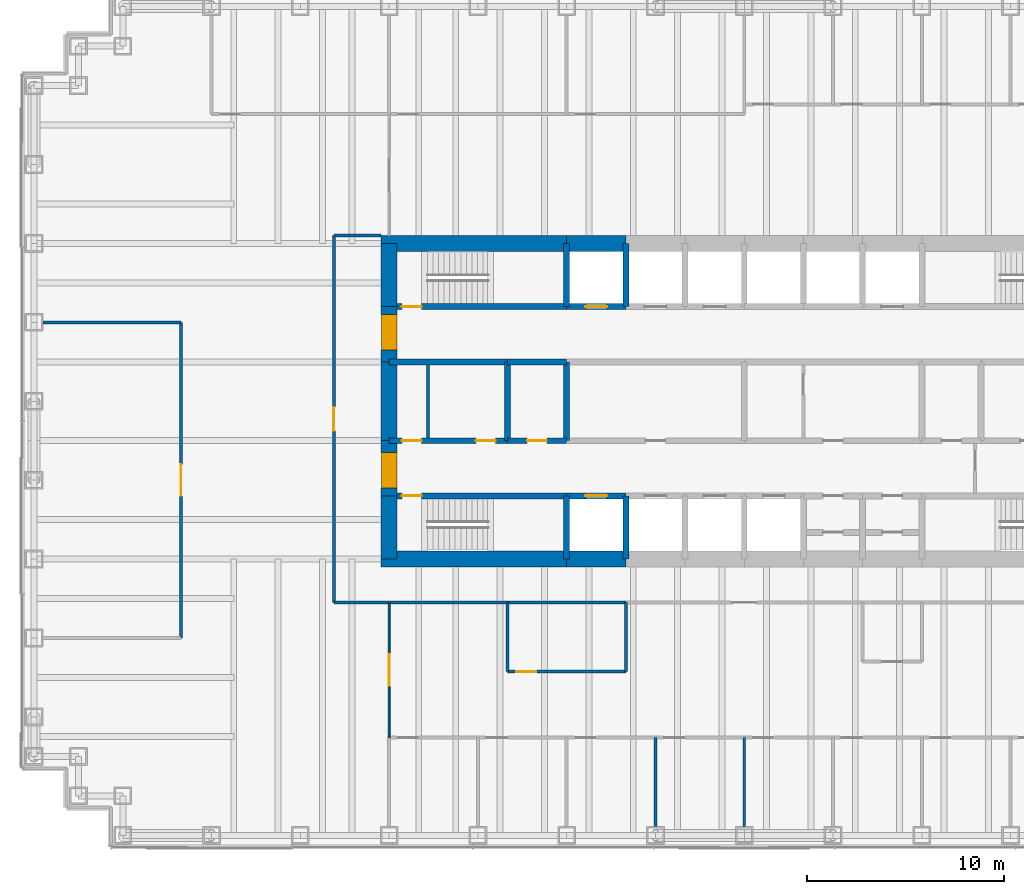
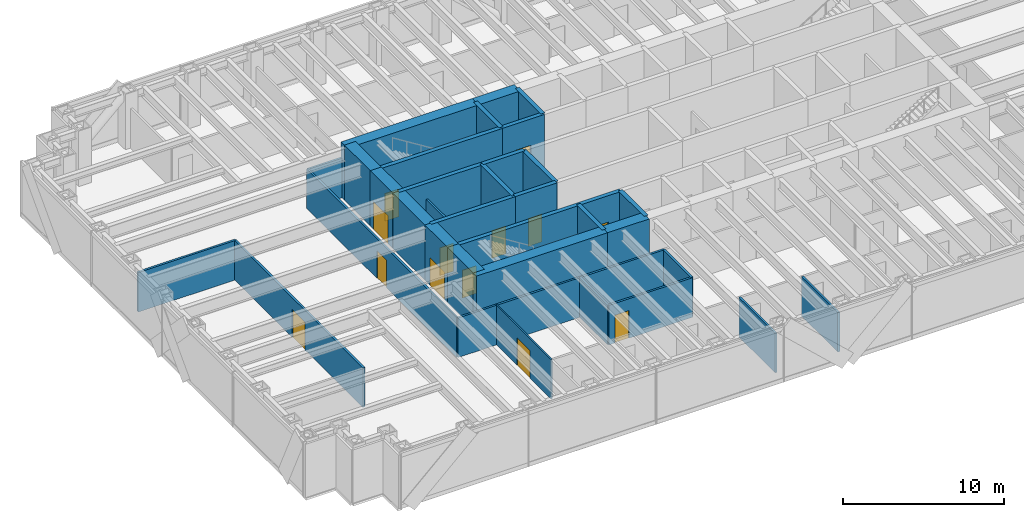
# One storey, part 10 of 15: 36 walls, 13 doors, 13 openings.
"""IFC4 building model written with IfcOpenShell, lengths in metres."""

import ifcopenshell
import ifcopenshell.guid

model = None  # the IFC model being written
_history = None  # IfcOwnerHistory: only IFC2X3 demands one
_inside = {}  # id of a spatial element -> (the spatial element, [elements in it])
_under = {}  # id of a project, library or spatial element -> (it, [spatial elements below it])
_declared = {}  # id of a project -> (the project, [libraries it declares])
_typed = {}  # id of a type object -> (the type object, [elements of that type])
_made_of = {}  # id of a material, layer set ... -> (it, [elements and type objects made of it])


def new_model(schema):
    """Start an empty IFC model of exactly this schema.

    Asked for "IFC4X3", IfcOpenShell would pick the latest addendum, in which some entities
    have other attributes; the version numbers below select the first issue.
    IFC2X3 requires an IfcOwnerHistory on every rooted entity: one is made here for all.
    """
    global model, _history
    if schema == "IFC4X3":
        model = ifcopenshell.file(schema_version=(4, 3, 0, 0))
    else:
        model = ifcopenshell.file(schema=schema)
    _inside.clear()
    _under.clear()
    _declared.clear()
    _typed.clear()
    _made_of.clear()
    _history = None
    if model.schema == "IFC2X3":
        org = make("IfcOrganization", Name="unknown")
        user = make(
            "IfcPersonAndOrganization",
            ThePerson=make("IfcPerson", FamilyName="unknown"),
            TheOrganization=org,
        )
        app = make(
            "IfcApplication",
            ApplicationDeveloper=org,
            Version="unknown",
            ApplicationFullName="unknown",
            ApplicationIdentifier="unknown",
        )
        _history = make(
            "IfcOwnerHistory",
            OwningUser=user,
            OwningApplication=app,
            ChangeAction="ADDED",
            CreationDate=0,
        )
    return model


def make(cls, **values):
    """One entity of the class cls with the attributes given. An attribute that is None is left unset."""
    return model.create_entity(
        cls, **{name: value for name, value in values.items() if value is not None}
    )


def rooted(cls, **values):
    """An entity with a GlobalId (a new one), such as an element, a storey or a relation."""
    return make(cls, GlobalId=ifcopenshell.guid.new(), OwnerHistory=_history, **values)


def si_unit(unit_type, name, prefix=None):
    """IfcSIUnit, for example si_unit("LENGTHUNIT", "METRE", prefix="MILLI")."""
    return make("IfcSIUnit", UnitType=unit_type, Prefix=prefix, Name=name)


def assignment(units):
    """IfcUnitAssignment: the units of a project."""
    return None if units is None else make("IfcUnitAssignment", Units=units)


def point(xyz):
    """IfcCartesianPoint."""
    return None if xyz is None else make("IfcCartesianPoint", Coordinates=xyz)


def direction(xyz):
    """IfcDirection."""
    return None if xyz is None else make("IfcDirection", DirectionRatios=xyz)


def frame(location, z_axis=None, x_axis=None):
    """IfcAxis2Placement3D, a coordinate frame: its origin and axes. An axis left out is left unset."""
    return make(
        "IfcAxis2Placement3D",
        Location=point(location),
        Axis=direction(z_axis),
        RefDirection=direction(x_axis),
    )


def frame_2d(location, x_axis=None):
    """IfcAxis2Placement2D, a coordinate frame in the plane: its origin and x axis."""
    return make(
        "IfcAxis2Placement2D", Location=point(location), RefDirection=direction(x_axis)
    )


def origin():
    """The frame at (0, 0, 0) with its axes left unset."""
    return frame((0.0, 0.0, 0.0))


def place(relative_to, where):
    """IfcLocalPlacement: puts the frame where relative to a parent placement (None: the world)."""
    return make(
        "IfcLocalPlacement", PlacementRelTo=relative_to, RelativePlacement=where
    )


def context(
    kind, dimensions, precision=None, world=None, true_north=None, identifier=None
):
    """IfcGeometricRepresentationContext, for example the 3D "Model" context."""
    return make(
        "IfcGeometricRepresentationContext",
        ContextIdentifier=identifier,
        ContextType=kind,
        CoordinateSpaceDimension=dimensions,
        Precision=precision,
        WorldCoordinateSystem=world,
        TrueNorth=true_north,
    )


def subcontext(parent, identifier, kind, view, scale=None):
    """IfcGeometricRepresentationSubContext, for example "Body" below "Model"."""
    return make(
        "IfcGeometricRepresentationSubContext",
        ContextIdentifier=identifier,
        ContextType=kind,
        ParentContext=parent,
        TargetScale=scale,
        TargetView=view,
    )


def project(units=None, contexts=None):
    """IfcProject with its units and contexts."""
    return rooted(
        "IfcProject",
        Name="project",
        RepresentationContexts=contexts,
        UnitsInContext=assignment(units),
    )


def spatial(cls, under=None, at=None, **own):
    """A site, building, storey or space (cls), placed at a placement, below another one or the project."""
    s = rooted(cls, ObjectPlacement=at, **own)
    if under is not None:
        _under.setdefault(under.id(), (under, []))[1].append(s)
    return s


def profile(cls, at=None, kind="AREA", **sizes):
    """A parametric profile (cls). Its sizes go by their IFC names, for example OverallWidth=200.0."""
    return make(cls, ProfileType=kind, Position=at, **sizes)


def rectangle(**sizes):
    """IfcRectangleProfileDef."""
    return profile("IfcRectangleProfileDef", **sizes)


def extrude(swept, where, along, depth):
    """IfcExtrudedAreaSolid: the profile swept, set in the frame where, extruded along a direction by depth."""
    return make(
        "IfcExtrudedAreaSolid",
        SweptArea=swept,
        Position=where,
        ExtrudedDirection=direction(along),
        Depth=depth,
    )


def shape(context_of_items, identifier, shape_type, items):
    """IfcShapeRepresentation: the items that make up one representation, for example the "Body"."""
    return make(
        "IfcShapeRepresentation",
        ContextOfItems=context_of_items,
        RepresentationIdentifier=identifier,
        RepresentationType=shape_type,
        Items=items,
    )


def material(Name=None, Category=None):
    """IfcMaterial."""
    return make("IfcMaterial", Name=Name, Category=Category)


def layer(
    of_material, thickness, ventilated=None, Name=None, Category=None, Priority=None
):
    """IfcMaterialLayer: one layer of a wall or slab, of a material (None: an air gap)."""
    return make(
        "IfcMaterialLayer",
        Material=of_material,
        LayerThickness=thickness,
        IsVentilated=ventilated,
        Name=Name,
        Category=Category,
        Priority=Priority,
    )


def layer_set(layers, Name=None):
    """IfcMaterialLayerSet."""
    return make("IfcMaterialLayerSet", MaterialLayers=layers, LayerSetName=Name)


def made_of(thing, what):
    """Note that an element or type object is made of a material, layer set ...; save() writes the relation."""
    if what is not None:
        _made_of.setdefault(what.id(), (what, []))[1].append(thing)
    return thing


def type_object(cls, material=None, **own):
    """A type object (cls), such as IfcWallType, which elements share."""
    return made_of(rooted(cls, **own), material)


def element(
    cls,
    number,
    at=None,
    inside=None,
    cuts=None,
    type_object=None,
    material=None,
    context=None,
    identifier="Body",
    shape_type=None,
    held_by="IfcProductDefinitionShape",
    body=None,
    shapes=None,
    **own,
):
    """One element of the class cls, such as IfcWall. Its Tag is "e" and its number.

    at: its placement. inside: the storey or other place that contains it. cuts: it is an
    opening in that element (IfcRelVoidsElement). A single representation is given by context,
    identifier, shape_type and body (its items); several are given by shapes. held_by: the class
    of the entity that holds the representations. save() writes the other relations.
    """
    e = rooted(cls, Tag="e%d" % number, ObjectPlacement=at, **own)
    if body is not None:
        shapes = [shape(context, identifier, shape_type, body)]
    if shapes is not None:
        e.Representation = make(held_by, Representations=shapes)
    if inside is not None:
        _inside.setdefault(inside.id(), (inside, []))[1].append(e)
    if cuts is not None:
        rooted(
            "IfcRelVoidsElement", RelatingBuildingElement=cuts, RelatedOpeningElement=e
        )
    if type_object is not None:
        _typed.setdefault(type_object.id(), (type_object, []))[1].append(e)
    return made_of(e, material)


def fill(opening, filler):
    """IfcRelFillsElement: the door or window that sits in an opening."""
    return rooted(
        "IfcRelFillsElement",
        RelatingOpeningElement=opening,
        RelatedBuildingElement=filler,
    )


def aggregate(whole, parts):
    """IfcRelAggregates: a whole, such as a stair, and the parts it consists of."""
    return rooted("IfcRelAggregates", RelatingObject=whole, RelatedObjects=parts)


def save(model, path):
    """Write the relations noted so far, then the file.

    IfcRelAggregates (storeys below a building ...), IfcRelContainedInSpatialStructure (elements
    in a storey), IfcRelDefinesByType, IfcRelAssociatesMaterial and IfcRelDeclares: one each for
    every whole, place, type object, material and project.
    """
    for whole, parts in _under.values():
        aggregate(whole, parts)
    for where, things in _inside.values():
        rooted(
            "IfcRelContainedInSpatialStructure",
            RelatedElements=things,
            RelatingStructure=where,
        )
    for kind, things in _typed.values():
        rooted("IfcRelDefinesByType", RelatedObjects=things, RelatingType=kind)
    for what, things in _made_of.values():
        rooted("IfcRelAssociatesMaterial", RelatedObjects=things, RelatingMaterial=what)
    for by, libraries in _declared.values():
        rooted("IfcRelDeclares", RelatingContext=by, RelatedDefinitions=libraries)
    model.write(path)


model = new_model("IFC4")

# Units and contexts
model_context = context("Model", 3, precision=1e-05, world=origin(), true_north=direction((0.0, 1.0)))
body_context = subcontext(model_context, "Body", "Model", "MODEL_VIEW")
ifc_project = project(units=[si_unit("LENGTHUNIT", "METRE"), si_unit("AREAUNIT", "SQUARE_METRE"), si_unit("VOLUMEUNIT", "CUBIC_METRE"), si_unit("PLANEANGLEUNIT", "RADIAN"), si_unit("MASSUNIT", "GRAM", prefix="KILO")], contexts=[model_context])

# Site, building, storey
site_placement = place(None, origin())
site = spatial("IfcSite", under=ifc_project, at=site_placement, CompositionType="ELEMENT")
building_placement = place(site_placement, origin())
building = spatial("IfcBuilding", under=site, at=building_placement, Name="Rheinbord Bourse Tower", CompositionType="ELEMENT")
storey_placement = place(building_placement, frame((0.0, 0.0, 215.199951171875)))
storey = spatial("IfcBuildingStorey", under=building, at=storey_placement, Name="L48", CompositionType="ELEMENT", Elevation=215.199951171875)

# Wall, opening, door
ifc_material_1 = material(Name="Concrete C50/60", Category="concrete")
ifc_layer_1 = layer(ifc_material_1, 0.300048828125)
ifc_layer_set_1 = layer_set([ifc_layer_1], Name="CORE INNER WALL 300")
wall_type_1 = type_object("IfcWallType", Name="CORE INNER WALL 300", PredefinedType="SOLIDWALL", material=ifc_layer_set_1)
wall_1_placement = place(storey_placement, frame((18.0, 19.199951171875, 0.0), z_axis=(0.0, 0.0, 1.0), x_axis=(1.0, 0.0, 0.0)))
wall_1 = element("IfcWall", 1, at=wall_1_placement, inside=storey, type_object=wall_type_1, Name="Core wall A1 L48", PredefinedType="SOLIDWALL", context=body_context, shape_type="SweptSolid", body=[
    extrude(rectangle(XDim=9.0, YDim=0.300048828125, at=frame_2d((4.5, 0.0))), origin(), (0.0, 0.0, 1.0), 4.199951171875),
])
opening_1_placement = place(wall_1_placement, frame((0.64990234375, 0.0, 0.0)))
opening_1 = element("IfcOpeningElement", 2, at=opening_1_placement, cuts=wall_1, Name="Opening 4810", PredefinedType="OPENING", context=body_context, shape_type="SweptSolid", body=[
    extrude(rectangle(XDim=1.0, YDim=2.10009765625, at=frame_2d((0.5, 1.050048828125))), frame((0.0, 0.159912109375, 0.0), z_axis=(0.0, -1.0, 0.0), x_axis=(1.0, 0.0, 0.0)), (0.0, 0.0, 1.0), 0.320068359375),
])
ifc_material_2 = material(Name="Steel door", Category="steel")
door_type_1 = type_object("IfcDoorType", Name="DOOR 1000 EI30", OperationType="SINGLE_SWING_LEFT", PredefinedType="DOOR", material=ifc_material_2)
door_1_placement = place(opening_1_placement, origin())
door_1 = element("IfcDoor", 3, at=door_1_placement, inside=storey, type_object=door_type_1, Name="Stair door ST1 L48", OperationType="SINGLE_SWING_LEFT", OverallHeight=2.10009765625, OverallWidth=1.0, PredefinedType="DOOR", context=body_context, shape_type="SweptSolid", body=[
    extrude(rectangle(XDim=1.0, YDim=2.10009765625, at=frame_2d((0.5, 1.050048828125))), frame((0.0, 0.02490234375, 0.0), z_axis=(0.0, -1.0, 0.0), x_axis=(1.0, 0.0, 0.0)), (0.0, 0.0, 1.0), 0.050048828125),
])
fill(opening_1, door_1)

wall_2_placement = place(storey_placement, frame((27.0, 19.199951171875, 0.0), z_axis=(0.0, 0.0, 1.0), x_axis=(1.0, 0.0, 0.0)))
wall_2 = element("IfcWall", 4, at=wall_2_placement, inside=storey, type_object=wall_type_1, Name="Core wall A2 L48", PredefinedType="SOLIDWALL", context=body_context, shape_type="SweptSolid", body=[
    extrude(rectangle(XDim=3.0, YDim=0.300048828125, at=frame_2d((1.5, 0.0))), origin(), (0.0, 0.0, 1.0), 4.199951171875),
])
opening_2_placement = place(wall_2_placement, frame((0.949951171875, 0.0, 0.0)))
opening_2 = element("IfcOpeningElement", 5, at=opening_2_placement, cuts=wall_2, Name="Opening FL1", PredefinedType="OPENING", context=body_context, shape_type="SweptSolid", body=[
    extrude(rectangle(XDim=1.10009765625, YDim=2.199951171875, at=frame_2d((0.550048828125, 1.10009765625))), frame((0.0, 0.159912109375, 0.0), z_axis=(0.0, -1.0, 0.0), x_axis=(1.0, 0.0, 0.0)), (0.0, 0.0, 1.0), 0.320068359375),
])
ifc_material_3 = material(Name="Steel landing door", Category="steel")
door_type_2 = type_object("IfcDoorType", Name="LIFT LANDING DOOR 1100", OperationType="DOUBLE_DOOR_SLIDING", PredefinedType="USERDEFINED", material=ifc_material_3)
door_2_placement = place(opening_2_placement, origin())
door_2 = element("IfcDoor", 6, at=door_2_placement, inside=storey, type_object=door_type_2, Name="Lift landing door FL1 L48", ObjectType="LIFT LANDING DOOR", OperationType="DOUBLE_DOOR_SLIDING", OverallHeight=2.199951171875, OverallWidth=1.10009765625, PredefinedType="USERDEFINED", context=body_context, shape_type="SweptSolid", body=[
    extrude(rectangle(XDim=1.10009765625, YDim=2.199951171875, at=frame_2d((0.550048828125, 1.10009765625))), frame((0.0, 0.02490234375, 0.0), z_axis=(0.0, -1.0, 0.0), x_axis=(1.0, 0.0, 0.0)), (0.0, 0.0, 1.0), 0.050048828125),
])
fill(opening_2, door_2)

wall_3_placement = place(storey_placement, frame((18.0, 28.800048828125, 0.0), z_axis=(0.0, 0.0, 1.0), x_axis=(1.0, 0.0, 0.0)))
wall_3 = element("IfcWall", 7, at=wall_3_placement, inside=storey, type_object=wall_type_1, Name="Core wall B1 L48", PredefinedType="SOLIDWALL", context=body_context, shape_type="SweptSolid", body=[
    extrude(rectangle(XDim=9.0, YDim=0.300048828125, at=frame_2d((4.5, 0.0))), origin(), (0.0, 0.0, 1.0), 4.199951171875),
])
opening_3_placement = place(wall_3_placement, frame((0.64990234375, 0.0, 0.0)))
opening_3 = element("IfcOpeningElement", 8, at=opening_3_placement, cuts=wall_3, Name="Opening 4820", PredefinedType="OPENING", context=body_context, shape_type="SweptSolid", body=[
    extrude(rectangle(XDim=1.0, YDim=2.10009765625, at=frame_2d((0.5, 1.050048828125))), frame((0.0, 0.159912109375, 0.0), z_axis=(0.0, -1.0, 0.0), x_axis=(1.0, 0.0, 0.0)), (0.0, 0.0, 1.0), 0.320068359375),
])
door_3_placement = place(opening_3_placement, origin())
door_3 = element("IfcDoor", 9, at=door_3_placement, inside=storey, type_object=door_type_1, Name="Stair door ST2 L48", OperationType="SINGLE_SWING_LEFT", OverallHeight=2.10009765625, OverallWidth=1.0, PredefinedType="DOOR", context=body_context, shape_type="SweptSolid", body=[
    extrude(rectangle(XDim=1.0, YDim=2.10009765625, at=frame_2d((0.5, 1.050048828125))), frame((0.0, 0.02490234375, 0.0), z_axis=(0.0, -1.0, 0.0), x_axis=(1.0, 0.0, 0.0)), (0.0, 0.0, 1.0), 0.050048828125),
])
fill(opening_3, door_3)

wall_4_placement = place(storey_placement, frame((27.0, 28.800048828125, 0.0), z_axis=(0.0, 0.0, 1.0), x_axis=(1.0, 0.0, 0.0)))
wall_4 = element("IfcWall", 10, at=wall_4_placement, inside=storey, type_object=wall_type_1, Name="Core wall B2 L48", PredefinedType="SOLIDWALL", context=body_context, shape_type="SweptSolid", body=[
    extrude(rectangle(XDim=3.0, YDim=0.300048828125, at=frame_2d((1.5, 0.0))), origin(), (0.0, 0.0, 1.0), 4.199951171875),
])
opening_4_placement = place(wall_4_placement, frame((0.949951171875, 0.0, 0.0)))
opening_4 = element("IfcOpeningElement", 11, at=opening_4_placement, cuts=wall_4, Name="Opening GL1", PredefinedType="OPENING", context=body_context, shape_type="SweptSolid", body=[
    extrude(rectangle(XDim=1.10009765625, YDim=2.199951171875, at=frame_2d((0.550048828125, 1.10009765625))), frame((0.0, 0.159912109375, 0.0), z_axis=(0.0, -1.0, 0.0), x_axis=(1.0, 0.0, 0.0)), (0.0, 0.0, 1.0), 0.320068359375),
])
door_4_placement = place(opening_4_placement, origin())
door_4 = element("IfcDoor", 12, at=door_4_placement, inside=storey, type_object=door_type_2, Name="Lift landing door GL1 L48", ObjectType="LIFT LANDING DOOR", OperationType="DOUBLE_DOOR_SLIDING", OverallHeight=2.199951171875, OverallWidth=1.10009765625, PredefinedType="USERDEFINED", context=body_context, shape_type="SweptSolid", body=[
    extrude(rectangle(XDim=1.10009765625, YDim=2.199951171875, at=frame_2d((0.550048828125, 1.10009765625))), frame((0.0, 0.02490234375, 0.0), z_axis=(0.0, -1.0, 0.0), x_axis=(1.0, 0.0, 0.0)), (0.0, 0.0, 1.0), 0.050048828125),
])
fill(opening_4, door_4)

# Wall, openings, doors
wall_5_placement = place(storey_placement, frame((18.0, 22.0, 0.0), z_axis=(0.0, 0.0, 1.0), x_axis=(1.0, 0.0, 0.0)))
wall_5 = element("IfcWall", 13, at=wall_5_placement, inside=storey, type_object=wall_type_1, Name="Core wall C1 L48", PredefinedType="SOLIDWALL", context=body_context, shape_type="SweptSolid", body=[
    extrude(rectangle(XDim=6.0, YDim=0.300048828125, at=frame_2d((3.0, 0.0))), origin(), (0.0, 0.0, 1.0), 4.199951171875),
])
opening_5_placement = place(wall_5_placement, frame((4.39990234375, 0.0, 0.0)))
opening_5 = element("IfcOpeningElement", 14, at=opening_5_placement, cuts=wall_5, Name="Opening 48R1", PredefinedType="OPENING", context=body_context, shape_type="SweptSolid", body=[
    extrude(rectangle(XDim=1.0, YDim=2.10009765625, at=frame_2d((0.5, 1.050048828125))), frame((0.0, 0.159912109375, 0.0), z_axis=(0.0, -1.0, 0.0), x_axis=(1.0, 0.0, 0.0)), (0.0, 0.0, 1.0), 0.320068359375),
])
opening_6_placement = place(wall_5_placement, frame((0.64990234375, 0.0, 0.0)))
opening_6 = element("IfcOpeningElement", 15, at=opening_6_placement, cuts=wall_5, Name="Opening 48R9", PredefinedType="OPENING", context=body_context, shape_type="SweptSolid", body=[
    extrude(rectangle(XDim=1.0, YDim=2.10009765625, at=frame_2d((0.5, 1.050048828125))), frame((0.0, 0.159912109375, 0.0), z_axis=(0.0, -1.0, 0.0), x_axis=(1.0, 0.0, 0.0)), (0.0, 0.0, 1.0), 0.320068359375),
])
door_5_placement = place(opening_6_placement, origin())
door_5 = element("IfcDoor", 16, at=door_5_placement, inside=storey, type_object=door_type_1, Name="Staff shower door L48", OperationType="SINGLE_SWING_LEFT", OverallHeight=2.10009765625, OverallWidth=1.0, PredefinedType="DOOR", context=body_context, shape_type="SweptSolid", body=[
    extrude(rectangle(XDim=1.0, YDim=2.10009765625, at=frame_2d((0.5, 1.050048828125))), frame((0.0, 0.02490234375, 0.0), z_axis=(0.0, -1.0, 0.0), x_axis=(1.0, 0.0, 0.0)), (0.0, 0.0, 1.0), 0.050048828125),
])
fill(opening_6, door_5)
ifc_material_4 = material(Name="Timber door", Category="wood")
door_type_3 = type_object("IfcDoorType", Name="DOOR 1000 WC", OperationType="SINGLE_SWING_LEFT", PredefinedType="DOOR", material=ifc_material_4)
door_6_placement = place(opening_5_placement, origin())
door_6 = element("IfcDoor", 17, at=door_6_placement, inside=storey, type_object=door_type_3, Name="WC men door L48", OperationType="SINGLE_SWING_RIGHT", OverallHeight=2.10009765625, OverallWidth=1.0, PredefinedType="DOOR", context=body_context, shape_type="SweptSolid", body=[
    extrude(rectangle(XDim=1.0, YDim=2.10009765625, at=frame_2d((0.5, 1.050048828125))), frame((0.0, 0.02490234375, 0.0), z_axis=(0.0, -1.0, 0.0), x_axis=(1.0, 0.0, 0.0)), (0.0, 0.0, 1.0), 0.050048828125),
])
fill(opening_5, door_6)

# Wall, opening, door
wall_6_placement = place(storey_placement, frame((24.0, 22.0, 0.0), z_axis=(0.0, 0.0, 1.0), x_axis=(1.0, 0.0, 0.0)))
wall_6 = element("IfcWall", 18, at=wall_6_placement, inside=storey, type_object=wall_type_1, Name="Core wall C2 L48", PredefinedType="SOLIDWALL", context=body_context, shape_type="SweptSolid", body=[
    extrude(rectangle(XDim=3.0, YDim=0.300048828125, at=frame_2d((1.5, 0.0))), origin(), (0.0, 0.0, 1.0), 4.199951171875),
])
opening_7_placement = place(wall_6_placement, frame((1.0, 0.0, 0.0)))
opening_7 = element("IfcOpeningElement", 19, at=opening_7_placement, cuts=wall_6, Name="Opening 48R2", PredefinedType="OPENING", context=body_context, shape_type="SweptSolid", body=[
    extrude(rectangle(XDim=1.0, YDim=2.10009765625, at=frame_2d((0.5, 1.050048828125))), frame((0.0, 0.159912109375, 0.0), z_axis=(0.0, -1.0, 0.0), x_axis=(1.0, 0.0, 0.0)), (0.0, 0.0, 1.0), 0.320068359375),
])
door_7_placement = place(opening_7_placement, origin())
door_7 = element("IfcDoor", 20, at=door_7_placement, inside=storey, type_object=door_type_3, Name="Accessible WC door L48", OperationType="SINGLE_SWING_LEFT", OverallHeight=2.10009765625, OverallWidth=1.0, PredefinedType="DOOR", context=body_context, shape_type="SweptSolid", body=[
    extrude(rectangle(XDim=1.0, YDim=2.10009765625, at=frame_2d((0.5, 1.050048828125))), frame((0.0, 0.02490234375, 0.0), z_axis=(0.0, -1.0, 0.0), x_axis=(1.0, 0.0, 0.0)), (0.0, 0.0, 1.0), 0.050048828125),
])
fill(opening_7, door_7)

# Walls
wall_7_placement = place(storey_placement, frame((18.0, 26.0, 0.0), z_axis=(0.0, 0.0, 1.0), x_axis=(1.0, 0.0, 0.0)))
element("IfcWall", 21, at=wall_7_placement, inside=storey, type_object=wall_type_1, Name="Core wall D1 L48", PredefinedType="SOLIDWALL", context=body_context, shape_type="SweptSolid", body=[
    extrude(rectangle(XDim=6.0, YDim=0.300048828125, at=frame_2d((3.0, 0.0))), origin(), (0.0, 0.0, 1.0), 4.199951171875),
])
wall_8_placement = place(storey_placement, frame((24.0, 26.0, 0.0), z_axis=(0.0, 0.0, 1.0), x_axis=(1.0, 0.0, 0.0)))
element("IfcWall", 22, at=wall_8_placement, inside=storey, type_object=wall_type_1, Name="Core wall D2 L48", PredefinedType="SOLIDWALL", context=body_context, shape_type="SweptSolid", body=[
    extrude(rectangle(XDim=3.0, YDim=0.300048828125, at=frame_2d((1.5, 0.0))), origin(), (0.0, 0.0, 1.0), 4.199951171875),
])
for number, where, z_axis, x_axis, name in (
    (23, (27.0, 16.0, 0.0), (0.0, 0.0, 1.0), (0.0, 1.0, 0.0), "Core wall SX27 L48"),
    (24, (27.0, 28.800048828125, 0.0), (0.0, 0.0, 1.0), (0.0, 1.0, 0.0), "Core wall NX27 L48"),
    (25, (30.0, 16.0, 0.0), (0.0, 0.0, 1.0), (0.0, 1.0, 0.0), "Core wall SX30 L48"),
    (26, (30.0, 28.800048828125, 0.0), (0.0, 0.0, 1.0), (0.0, 1.0, 0.0), "Core wall NX30 L48"),
):
    element("IfcWall", number, at=place(storey_placement, frame(where, z_axis=z_axis, x_axis=x_axis)), inside=storey, type_object=wall_type_1, Name=name, PredefinedType="SOLIDWALL", context=body_context, shape_type="SweptSolid", body=[
        extrude(rectangle(XDim=3.199951171875, YDim=0.300048828125, at=frame_2d((1.60009765625, 0.0))), origin(), (0.0, 0.0, 1.0), 4.199951171875),
    ])
for number, where, z_axis, x_axis, name in (
    (27, (24.0, 22.0, 0.0), (0.0, 0.0, 1.0), (0.0, 1.0, 0.0), "Core wall MX24 L48"),
    (28, (27.0, 22.0, 0.0), (0.0, 0.0, 1.0), (0.0, 1.0, 0.0), "Core wall MX27 L48"),
):
    element("IfcWall", number, at=place(storey_placement, frame(where, z_axis=z_axis, x_axis=x_axis)), inside=storey, type_object=wall_type_1, Name=name, PredefinedType="SOLIDWALL", context=body_context, shape_type="SweptSolid", body=[
        extrude(rectangle(XDim=4.0, YDim=0.300048828125, at=frame_2d((2.0, 0.0))), origin(), (0.0, 0.0, 1.0), 4.199951171875),
    ])
ifc_material_5 = material(Name="Gypsum board fire partition", Category="gypsum board")
ifc_layer_2 = layer(ifc_material_5, 0.14990234375)
ifc_layer_set_2 = layer_set([ifc_layer_2], Name="CORE PARTITION 150 EI30")
wall_type_2 = type_object("IfcWallType", Name="CORE PARTITION 150 EI30", PredefinedType="PARTITIONING", material=ifc_layer_set_2)
wall_9_placement = place(storey_placement, frame((19.97509765625, 22.14990234375, 0.0), z_axis=(0.0, 0.0, 1.0), x_axis=(0.0, 1.0, 0.0)))
element("IfcWall", 29, at=wall_9_placement, inside=storey, type_object=wall_type_2, Name="Core partition L48-2", PredefinedType="PARTITIONING", context=body_context, shape_type="SweptSolid", body=[
    extrude(rectangle(XDim=3.7001953125, YDim=0.14990234375, at=frame_2d((1.85009765625, 0.0))), origin(), (0.0, 0.0, 1.0), 3.0),
])
ifc_material_6 = material(Name="Concrete C50/60", Category="concrete")
ifc_layer_3 = layer(ifc_material_6, 0.800048828125)
ifc_layer_set_3 = layer_set([ifc_layer_3], Name="CORE WALL 800")
wall_type_3 = type_object("IfcWallType", Name="CORE WALL 800", PredefinedType="SHEAR", material=ifc_layer_set_3)
wall_10_placement = place(storey_placement, frame((17.60009765625, 16.0, 0.0), z_axis=(0.0, 0.0, 1.0), x_axis=(1.0, 0.0, 0.0)))
element("IfcWall", 30, at=wall_10_placement, inside=storey, type_object=wall_type_3, Name="Core wall S1 L48", PredefinedType="SHEAR", context=body_context, shape_type="SweptSolid", body=[
    extrude(rectangle(XDim=9.39990234375, YDim=0.800048828125, at=frame_2d((4.699951171875, 0.0))), origin(), (0.0, 0.0, 1.0), 4.199951171875),
])
for number, where, z_axis, x_axis, name in (
    (31, (27.0, 16.0, 0.0), (0.0, 0.0, 1.0), (1.0, 0.0, 0.0), "Core wall S2 L48"),
    (32, (30.0, 32.0, 0.0), (0.0, 0.0, 1.0), (-1.0, 0.0, 0.0), "Core wall N7 L48"),
):
    element("IfcWall", number, at=place(storey_placement, frame(where, z_axis=z_axis, x_axis=x_axis)), inside=storey, type_object=wall_type_3, Name=name, PredefinedType="SHEAR", context=body_context, shape_type="SweptSolid", body=[
        extrude(rectangle(XDim=3.0, YDim=0.800048828125, at=frame_2d((1.5, 0.0))), origin(), (0.0, 0.0, 1.0), 4.199951171875),
    ])
wall_11_placement = place(storey_placement, frame((27.0, 32.0, 0.0), z_axis=(0.0, 0.0, 1.0), x_axis=(-1.0, 0.0, 0.0)))
element("IfcWall", 33, at=wall_11_placement, inside=storey, type_object=wall_type_3, Name="Core wall N8 L48", PredefinedType="SHEAR", context=body_context, shape_type="SweptSolid", body=[
    extrude(rectangle(XDim=9.39990234375, YDim=0.800048828125, at=frame_2d((4.699951171875, 0.0))), origin(), (0.0, 0.0, 1.0), 4.199951171875),
])
wall_12_placement = place(storey_placement, frame((18.0, 32.0, 0.0), z_axis=(0.0, 0.0, 1.0), x_axis=(0.0, -1.0, 0.0)))
element("IfcWall", 34, at=wall_12_placement, inside=storey, type_object=wall_type_3, Name="Core wall W1 L48", PredefinedType="SHEAR", context=body_context, shape_type="SweptSolid", body=[
    extrude(rectangle(XDim=3.199951171875, YDim=0.800048828125, at=frame_2d((1.60009765625, 0.0))), origin(), (0.0, 0.0, 1.0), 4.199951171875),
])

# Wall, opening, door
wall_13_placement = place(storey_placement, frame((18.0, 28.800048828125, 0.0), z_axis=(0.0, 0.0, 1.0), x_axis=(0.0, -1.0, 0.0)))
wall_13 = element("IfcWall", 35, at=wall_13_placement, inside=storey, type_object=wall_type_3, Name="Core wall W2 L48", PredefinedType="SHEAR", context=body_context, shape_type="SweptSolid", body=[
    extrude(rectangle(XDim=2.800048828125, YDim=0.800048828125, at=frame_2d((1.39990234375, 0.0))), origin(), (0.0, 0.0, 1.0), 4.199951171875),
])
opening_8_placement = place(wall_13_placement, frame((0.39990234375, 0.0, 0.0)))
opening_8 = element("IfcOpeningElement", 36, at=opening_8_placement, cuts=wall_13, Name="Opening 48L2", PredefinedType="OPENING", context=body_context, shape_type="SweptSolid", body=[
    extrude(rectangle(XDim=1.800048828125, YDim=2.10009765625, at=frame_2d((0.89990234375, 1.050048828125))), frame((0.0, 0.409912109375, 0.0), z_axis=(0.0, -1.0, 0.0), x_axis=(1.0, 0.0, 0.0)), (0.0, 0.0, 1.0), 0.820068359375),
])
ifc_material_7 = material(Name="Steel door", Category="steel")
door_type_4 = type_object("IfcDoorType", Name="DOOR 1800 EI30 DOUBLE", OperationType="DOUBLE_DOOR_DOUBLE_SWING", PredefinedType="DOOR", material=ifc_material_7)
door_8_placement = place(opening_8_placement, origin())
door_8 = element("IfcDoor", 37, at=door_8_placement, inside=storey, type_object=door_type_4, Name="Lobby door 2 L48", OperationType="SINGLE_SWING_LEFT", OverallHeight=2.10009765625, OverallWidth=1.800048828125, PredefinedType="DOOR", context=body_context, shape_type="SweptSolid", body=[
    extrude(rectangle(XDim=1.800048828125, YDim=2.10009765625, at=frame_2d((0.89990234375, 1.050048828125))), frame((0.0, 0.39990234375, 0.0), z_axis=(0.0, -1.0, 0.0), x_axis=(1.0, 0.0, 0.0)), (0.0, 0.0, 1.0), 0.799560546875),
])
fill(opening_8, door_8)

# Wall
wall_14_placement = place(storey_placement, frame((18.0, 26.0, 0.0), z_axis=(0.0, 0.0, 1.0), x_axis=(0.0, -1.0, 0.0)))
element("IfcWall", 38, at=wall_14_placement, inside=storey, type_object=wall_type_3, Name="Core wall W3 L48", PredefinedType="SHEAR", context=body_context, shape_type="SweptSolid", body=[
    extrude(rectangle(XDim=4.0, YDim=0.800048828125, at=frame_2d((2.0, 0.0))), origin(), (0.0, 0.0, 1.0), 4.199951171875),
])

# Wall, opening, door
wall_15_placement = place(storey_placement, frame((18.0, 22.0, 0.0), z_axis=(0.0, 0.0, 1.0), x_axis=(0.0, -1.0, 0.0)))
wall_15 = element("IfcWall", 39, at=wall_15_placement, inside=storey, type_object=wall_type_3, Name="Core wall W4 L48", PredefinedType="SHEAR", context=body_context, shape_type="SweptSolid", body=[
    extrude(rectangle(XDim=2.800048828125, YDim=0.800048828125, at=frame_2d((1.39990234375, 0.0))), origin(), (0.0, 0.0, 1.0), 4.199951171875),
])
opening_9_placement = place(wall_15_placement, frame((0.60009765625, 0.0, 0.0)))
opening_9 = element("IfcOpeningElement", 40, at=opening_9_placement, cuts=wall_15, Name="Opening 48L1", PredefinedType="OPENING", context=body_context, shape_type="SweptSolid", body=[
    extrude(rectangle(XDim=1.800048828125, YDim=2.10009765625, at=frame_2d((0.89990234375, 1.050048828125))), frame((0.0, 0.409912109375, 0.0), z_axis=(0.0, -1.0, 0.0), x_axis=(1.0, 0.0, 0.0)), (0.0, 0.0, 1.0), 0.820068359375),
])
door_9_placement = place(opening_9_placement, origin())
door_9 = element("IfcDoor", 41, at=door_9_placement, inside=storey, type_object=door_type_4, Name="Lobby door 1 L48", OperationType="SINGLE_SWING_LEFT", OverallHeight=2.10009765625, OverallWidth=1.800048828125, PredefinedType="DOOR", context=body_context, shape_type="SweptSolid", body=[
    extrude(rectangle(XDim=1.800048828125, YDim=2.10009765625, at=frame_2d((0.89990234375, 1.050048828125))), frame((0.0, 0.39990234375, 0.0), z_axis=(0.0, -1.0, 0.0), x_axis=(1.0, 0.0, 0.0)), (0.0, 0.0, 1.0), 0.799560546875),
])
fill(opening_9, door_9)

# Walls
wall_16_placement = place(storey_placement, frame((18.0, 19.199951171875, 0.0), z_axis=(0.0, 0.0, 1.0), x_axis=(0.0, -1.0, 0.0)))
element("IfcWall", 42, at=wall_16_placement, inside=storey, type_object=wall_type_3, Name="Core wall W5 L48", PredefinedType="SHEAR", context=body_context, shape_type="SweptSolid", body=[
    extrude(rectangle(XDim=3.199951171875, YDim=0.800048828125, at=frame_2d((1.60009765625, 0.0))), origin(), (0.0, 0.0, 1.0), 4.199951171875),
])
ifc_material_8 = material(Name="Gypsum board corridor partition", Category="gypsum board")
ifc_layer_4 = layer(ifc_material_8, 0.14990234375)
ifc_layer_set_4 = layer_set([ifc_layer_4], Name="CORRIDOR PARTITION 150 EI30")
wall_type_4 = type_object("IfcWallType", Name="CORRIDOR PARTITION 150 EI30", PredefinedType="PARTITIONING", material=ifc_layer_set_4)
wall_17_placement = place(storey_placement, frame((15.199951171875, 13.800048828125, 0.0), z_axis=(0.0, 0.0, 1.0), x_axis=(1.0, 0.0, 0.0)))
element("IfcWall", 43, at=wall_17_placement, inside=storey, type_object=wall_type_4, Name="Partition L48-06", PredefinedType="PARTITIONING", context=body_context, shape_type="SweptSolid", body=[
    extrude(rectangle(XDim=8.800048828125, YDim=0.14990234375, at=frame_2d((4.39990234375, 0.0))), origin(), (0.0, 0.0, 1.0), 3.0),
])
wall_18_placement = place(storey_placement, frame((15.199951171875, 32.39990234375, 0.0), z_axis=(0.0, 0.0, 1.0), x_axis=(1.0, 0.0, 0.0)))
element("IfcWall", 44, at=wall_18_placement, inside=storey, type_object=wall_type_4, Name="Partition L48-13", PredefinedType="PARTITIONING", context=body_context, shape_type="SweptSolid", body=[
    extrude(rectangle(XDim=2.400146484375, YDim=0.14990234375, at=frame_2d((1.2001953125, 0.0))), origin(), (0.0, 0.0, 1.0), 3.0),
])

# Wall, opening, door
wall_19_placement = place(storey_placement, frame((15.199951171875, 13.800048828125, 0.0), z_axis=(0.0, 0.0, 1.0), x_axis=(0.0, 1.0, 0.0)))
wall_19 = element("IfcWall", 45, at=wall_19_placement, inside=storey, type_object=wall_type_4, Name="Partition L48-19", PredefinedType="PARTITIONING", context=body_context, shape_type="SweptSolid", body=[
    extrude(rectangle(XDim=18.599853515625, YDim=0.14990234375, at=frame_2d((9.2998046875, 0.0))), origin(), (0.0, 0.0, 1.0), 3.0),
])
opening_10_placement = place(wall_19_placement, frame((8.699951171875, 0.0, 0.0)))
opening_10 = element("IfcOpeningElement", 46, at=opening_10_placement, cuts=wall_19, Name="Opening 48D27", PredefinedType="OPENING", context=body_context, shape_type="SweptSolid", body=[
    extrude(rectangle(XDim=1.199951171875, YDim=2.10009765625, at=frame_2d((0.60009765625, 1.050048828125))), frame((0.0, 0.0849609375, 0.0), z_axis=(0.0, -1.0, 0.0), x_axis=(1.0, 0.0, 0.0)), (0.0, 0.0, 1.0), 0.169921875),
])
ifc_material_9 = material(Name="Timber fire door", Category="wood")
door_type_5 = type_object("IfcDoorType", Name="SUITE ENTRANCE DOOR 1200 EI30", OperationType="SINGLE_SWING_LEFT", PredefinedType="DOOR", material=ifc_material_9)
door_10_placement = place(opening_10_placement, origin())
door_10 = element("IfcDoor", 47, at=door_10_placement, inside=storey, type_object=door_type_5, Name="Suite entrance 1 door L48", OperationType="SINGLE_SWING_LEFT", OverallHeight=2.10009765625, OverallWidth=1.199951171875, PredefinedType="DOOR", context=body_context, shape_type="SweptSolid", body=[
    extrude(rectangle(XDim=1.199951171875, YDim=2.10009765625, at=frame_2d((0.60009765625, 1.050048828125))), frame((0.0, 0.02490234375, 0.0), z_axis=(0.0, -1.0, 0.0), x_axis=(1.0, 0.0, 0.0)), (0.0, 0.0, 1.0), 0.050048828125),
])
fill(opening_10, door_10)

ifc_material_10 = material(Name="Gypsum board fire partition", Category="gypsum board")
ifc_layer_5 = layer(ifc_material_10, 0.14990234375)
ifc_layer_set_5 = layer_set([ifc_layer_5], Name="FIRE PARTITION 150 EI60")
wall_type_5 = type_object("IfcWallType", Name="FIRE PARTITION 150 EI60", PredefinedType="PARTITIONING", material=ifc_layer_set_5)
wall_20_placement = place(storey_placement, frame((24.0, 10.300048828125, 0.0), z_axis=(0.0, 0.0, 1.0), x_axis=(1.0, 0.0, 0.0)))
wall_20 = element("IfcWall", 48, at=wall_20_placement, inside=storey, type_object=wall_type_5, Name="Partition L48-03", PredefinedType="PARTITIONING", context=body_context, shape_type="SweptSolid", body=[
    extrude(rectangle(XDim=6.0, YDim=0.14990234375, at=frame_2d((3.0, 0.0))), origin(), (0.0, 0.0, 1.0), 3.0),
])
opening_11_placement = place(wall_20_placement, frame((0.449951171875, 0.0, 0.0)))
opening_11 = element("IfcOpeningElement", 49, at=opening_11_placement, cuts=wall_20, Name="Opening 48D09", PredefinedType="OPENING", context=body_context, shape_type="SweptSolid", body=[
    extrude(rectangle(XDim=1.0, YDim=2.10009765625, at=frame_2d((0.5, 1.050048828125))), frame((0.0, 0.0849609375, 0.0), z_axis=(0.0, -1.0, 0.0), x_axis=(1.0, 0.0, 0.0)), (0.0, 0.0, 1.0), 0.169921875),
])
ifc_material_11 = material(Name="Timber fire door", Category="wood")
door_type_6 = type_object("IfcDoorType", Name="FIRE DOOR 1000 EI60", OperationType="SINGLE_SWING_LEFT", PredefinedType="DOOR", material=ifc_material_11)
door_11_placement = place(opening_11_placement, origin())
door_11 = element("IfcDoor", 50, at=door_11_placement, inside=storey, type_object=door_type_6, Name="File room door L48", OperationType="SINGLE_SWING_LEFT", OverallHeight=2.10009765625, OverallWidth=1.0, PredefinedType="DOOR", context=body_context, shape_type="SweptSolid", body=[
    extrude(rectangle(XDim=1.0, YDim=2.10009765625, at=frame_2d((0.5, 1.050048828125))), frame((0.0, 0.02490234375, 0.0), z_axis=(0.0, -1.0, 0.0), x_axis=(1.0, 0.0, 0.0)), (0.0, 0.0, 1.0), 0.050048828125),
])
fill(opening_11, door_11)

# Walls
wall_21_placement = place(storey_placement, frame((24.0, 13.800048828125, 0.0), z_axis=(0.0, 0.0, 1.0), x_axis=(1.0, 0.0, 0.0)))
element("IfcWall", 51, at=wall_21_placement, inside=storey, type_object=wall_type_5, Name="Partition L48-07", PredefinedType="PARTITIONING", context=body_context, shape_type="SweptSolid", body=[
    extrude(rectangle(XDim=6.0, YDim=0.14990234375, at=frame_2d((3.0, 0.0))), origin(), (0.0, 0.0, 1.0), 3.0),
])
for number, where, z_axis, x_axis, name in (
    (52, (24.0, 10.300048828125, 0.0), (0.0, 0.0, 1.0), (0.0, 1.0, 0.0), "Partition L48-25"),
    (53, (30.0, 10.300048828125, 0.0), (0.0, 0.0, 1.0), (0.0, 1.0, 0.0), "Partition L48-28"),
):
    element("IfcWall", number, at=place(storey_placement, frame(where, z_axis=z_axis, x_axis=x_axis)), inside=storey, type_object=wall_type_5, Name=name, PredefinedType="PARTITIONING", context=body_context, shape_type="SweptSolid", body=[
        extrude(rectangle(XDim=3.5, YDim=0.14990234375, at=frame_2d((1.75, 0.0))), origin(), (0.0, 0.0, 1.0), 3.0),
    ])

# Wall, opening, door
ifc_material_12 = material(Name="Toughened laminated glass partition", Category="glass")
ifc_layer_6 = layer(ifc_material_12, 0.10009765625)
ifc_layer_set_6 = layer_set([ifc_layer_6], Name="GLAZED PARTITION 100")
wall_type_6 = type_object("IfcWallType", Name="GLAZED PARTITION 100", PredefinedType="PARTITIONING", material=ifc_layer_set_6)
wall_22_placement = place(storey_placement, frame((18.0, 6.949951171875, 0.0), z_axis=(0.0, 0.0, 1.0), x_axis=(0.0, 1.0, 0.0)))
wall_22 = element("IfcWall", 54, at=wall_22_placement, inside=storey, type_object=wall_type_6, Name="Partition L48-21", PredefinedType="PARTITIONING", context=body_context, shape_type="SweptSolid", body=[
    extrude(rectangle(XDim=6.85009765625, YDim=0.10009765625, at=frame_2d((3.425048828125, 0.0))), origin(), (0.0, 0.0, 1.0), 3.0),
])
opening_12_placement = place(wall_22_placement, frame((2.625, 0.0, 0.0)))
opening_12 = element("IfcOpeningElement", 55, at=opening_12_placement, cuts=wall_22, Name="Opening 48D23", PredefinedType="OPENING", context=body_context, shape_type="SweptSolid", body=[
    extrude(rectangle(XDim=1.60009765625, YDim=2.10009765625, at=frame_2d((0.800048828125, 1.050048828125))), frame((0.0, 0.06005859375, 0.0), z_axis=(0.0, -1.0, 0.0), x_axis=(1.0, 0.0, 0.0)), (0.0, 0.0, 1.0), 0.1201171875),
])
ifc_material_13 = material(Name="Timber door", Category="wood")
door_type_7 = type_object("IfcDoorType", Name="DOUBLE ROOM DOOR 1600", OperationType="DOUBLE_DOOR_DOUBLE_SWING", PredefinedType="DOOR", material=ifc_material_13)
door_12_placement = place(opening_12_placement, origin())
door_12 = element("IfcDoor", 56, at=door_12_placement, inside=storey, type_object=door_type_7, Name="Open area door L48", OperationType="SINGLE_SWING_LEFT", OverallHeight=2.10009765625, OverallWidth=1.60009765625, PredefinedType="DOOR", context=body_context, shape_type="SweptSolid", body=[
    extrude(rectangle(XDim=1.60009765625, YDim=2.10009765625, at=frame_2d((0.800048828125, 1.050048828125))), frame((0.0, 0.02490234375, 0.0), z_axis=(0.0, -1.0, 0.0), x_axis=(1.0, 0.0, 0.0)), (0.0, 0.0, 1.0), 0.050048828125),
])
fill(opening_12, door_12)

# Wall
ifc_material_14 = material(Name="Gypsum board partition", Category="gypsum board")
ifc_layer_7 = layer(ifc_material_14, 0.14990234375)
ifc_layer_set_7 = layer_set([ifc_layer_7], Name="PARTITION 150")
wall_type_7 = type_object("IfcWallType", Name="PARTITION 150", PredefinedType="PARTITIONING", material=ifc_layer_set_7)
wall_23_placement = place(storey_placement, frame((0.449951171875, 28.0, 0.0), z_axis=(0.0, 0.0, 1.0), x_axis=(1.0, 0.0, 0.0)))
element("IfcWall", 57, at=wall_23_placement, inside=storey, type_object=wall_type_7, Name="Partition L48-11", PredefinedType="PARTITIONING", context=body_context, shape_type="SweptSolid", body=[
    extrude(rectangle(XDim=7.0, YDim=0.14990234375, at=frame_2d((3.5, 0.0))), origin(), (0.0, 0.0, 1.0), 3.0),
])

# Wall, opening, door
wall_24_placement = place(storey_placement, frame((7.449951171875, 12.0, 0.0), z_axis=(0.0, 0.0, 1.0), x_axis=(0.0, 1.0, 0.0)))
wall_24 = element("IfcWall", 58, at=wall_24_placement, inside=storey, type_object=wall_type_7, Name="Partition L48-17", PredefinedType="PARTITIONING", context=body_context, shape_type="SweptSolid", body=[
    extrude(rectangle(XDim=16.0, YDim=0.14990234375, at=frame_2d((8.0, 0.0))), origin(), (0.0, 0.0, 1.0), 3.0),
])
opening_13_placement = place(wall_24_placement, frame((7.199951171875, 0.0, 0.0)))
opening_13 = element("IfcOpeningElement", 59, at=opening_13_placement, cuts=wall_24, Name="Opening 48D12", PredefinedType="OPENING", context=body_context, shape_type="SweptSolid", body=[
    extrude(rectangle(XDim=1.60009765625, YDim=2.10009765625, at=frame_2d((0.800048828125, 1.050048828125))), frame((0.0, 0.0849609375, 0.0), z_axis=(0.0, -1.0, 0.0), x_axis=(1.0, 0.0, 0.0)), (0.0, 0.0, 1.0), 0.169921875),
])
door_13_placement = place(opening_13_placement, origin())
door_13 = element("IfcDoor", 60, at=door_13_placement, inside=storey, type_object=door_type_7, Name="Library door L48", OperationType="SINGLE_SWING_LEFT", OverallHeight=2.10009765625, OverallWidth=1.60009765625, PredefinedType="DOOR", context=body_context, shape_type="SweptSolid", body=[
    extrude(rectangle(XDim=1.60009765625, YDim=2.10009765625, at=frame_2d((0.800048828125, 1.050048828125))), frame((0.0, 0.02490234375, 0.0), z_axis=(0.0, -1.0, 0.0), x_axis=(1.0, 0.0, 0.0)), (0.0, 0.0, 1.0), 0.050048828125),
])
fill(opening_13, door_13)

# Walls
for number, where, z_axis, x_axis, name in (
    (61, (31.5, 2.449951171875, 0.0), (0.0, 0.0, 1.0), (0.0, 1.0, 0.0), "Partition L48-29"),
    (62, (36.0, 2.449951171875, 0.0), (0.0, 0.0, 1.0), (0.0, 1.0, 0.0), "Partition L48-30"),
):
    element("IfcWall", number, at=place(storey_placement, frame(where, z_axis=z_axis, x_axis=x_axis)), inside=storey, type_object=wall_type_7, Name=name, PredefinedType="PARTITIONING", context=body_context, shape_type="SweptSolid", body=[
        extrude(rectangle(XDim=4.5, YDim=0.14990234375, at=frame_2d((2.25, 0.0))), origin(), (0.0, 0.0, 1.0), 3.0),
    ])

save(model, "model.ifc")
